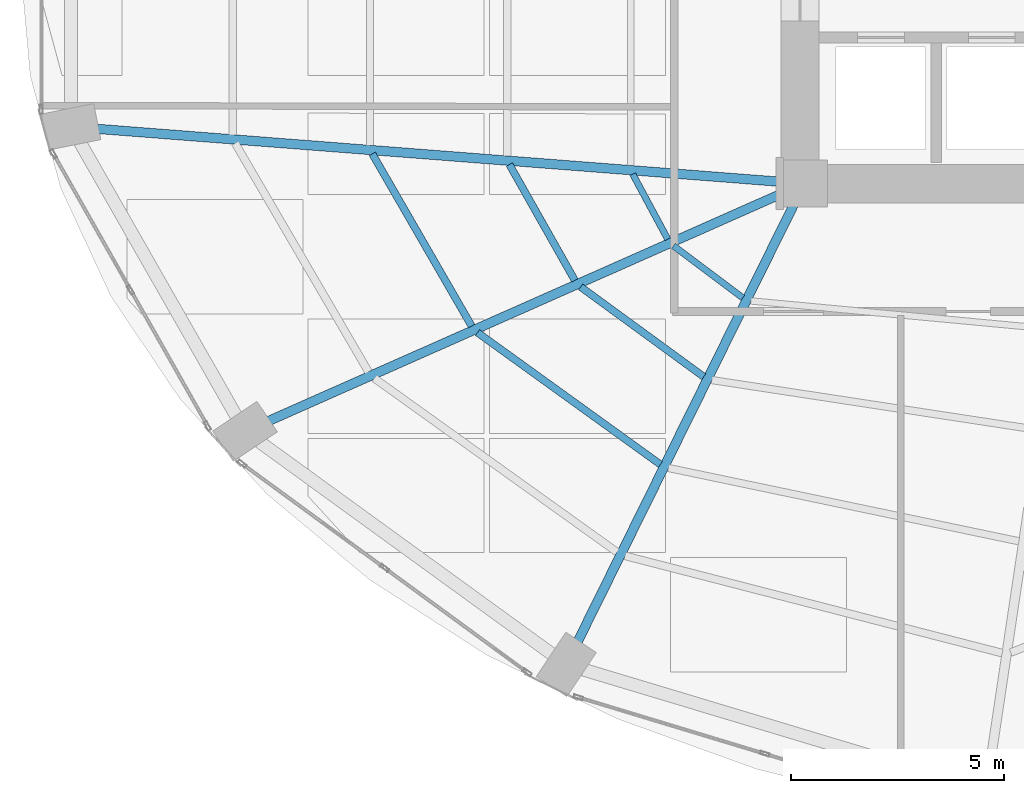
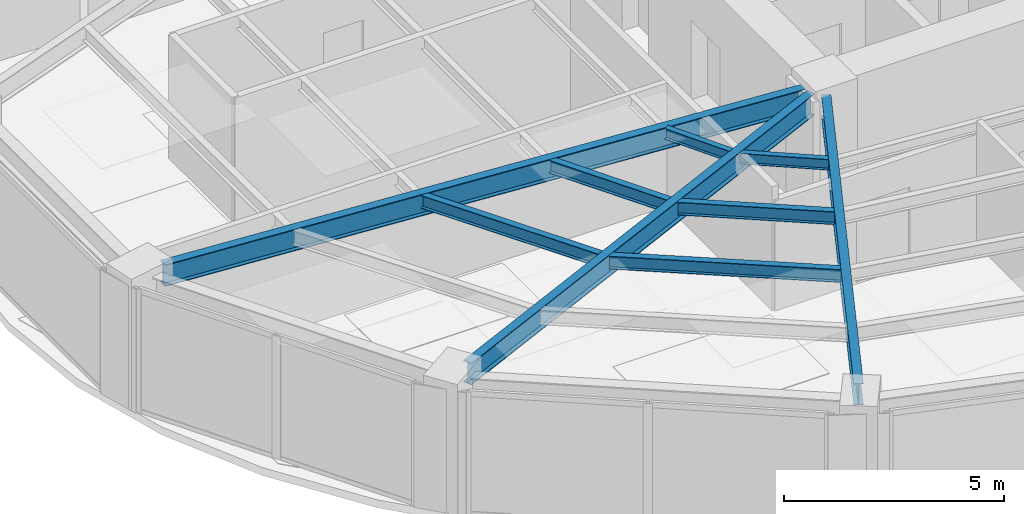
# One storey, part 4 of 24: 9 beams.
"""IFC4 building model written with IfcOpenShell, lengths in metres."""

from ifc_helpers import new_model, si_unit, direction, frame, origin, origin_2d, place, context, subcontext, project, spatial, i_section, extrude, material, material_profile, profile_set, type_object, element, save


model = new_model("IFC4")

# Units and contexts
model_context = context("Model", 3, precision=1e-05, world=origin(), true_north=direction((0.0, 1.0)))
body_context = subcontext(model_context, "Body", "Model", "MODEL_VIEW")
ifc_project = project(units=[si_unit("LENGTHUNIT", "METRE"), si_unit("AREAUNIT", "SQUARE_METRE"), si_unit("VOLUMEUNIT", "CUBIC_METRE"), si_unit("PLANEANGLEUNIT", "RADIAN"), si_unit("MASSUNIT", "GRAM", prefix="KILO")], contexts=[model_context])

# Site, building, storey
site_placement = place(None, origin())
site = spatial("IfcSite", under=ifc_project, at=site_placement, CompositionType="ELEMENT")
building_placement = place(site_placement, origin())
building = spatial("IfcBuilding", under=site, at=building_placement, Name="Lazwardi Medical Tower", CompositionType="ELEMENT")
storey_placement = place(building_placement, frame((0.0, 0.0, 65.327880859375)))
storey = spatial("IfcBuildingStorey", under=building, at=storey_placement, Name="L16", CompositionType="ELEMENT", Elevation=65.327880859375)

# Beams
ifc_material = material(Name="Steel S355", Category="steel")
ifc_material_profile_1 = material_profile(ifc_material, i_section(OverallWidth=0.219970703125, OverallDepth=0.60009765625, WebThickness=0.011962890625, FlangeThickness=0.01904296875, at=origin_2d()), Name="IPE 600")
ifc_profile_set_1 = profile_set([ifc_material_profile_1], Name="Steel S355")
beam_type_1 = type_object("IfcBeamType", Name="BM-RG-W1", PredefinedType="BEAM", material=ifc_profile_set_1)
beam_1_placement = place(storey_placement, frame((9.7783203125, 21.6875, 3.128173828125), z_axis=(0.997013942066, -0.077221754231, 0.0), x_axis=(0.077221754231, 0.997013942066, 0.0)))
element("IfcBeam", 1, at=beam_1_placement, inside=storey, type_object=beam_type_1, Name="Radial girder RG-02 R13 L16", PredefinedType="BEAM", context=body_context, shape_type="SweptSolid", body=[
    extrude(i_section(OverallWidth=0.219970703125, OverallDepth=0.60009765625, WebThickness=0.011962890625, FlangeThickness=0.01904296875, at=origin_2d()), origin(), (0.0, 0.0, 1.0), 16.136474609375),
])
beam_2_placement = place(storey_placement, frame((13.810302734375, 14.82080078125, 3.128173828125), z_axis=(0.914252189566, 0.405145571214, 0.0), x_axis=(-0.405145571214, 0.914252189566, 0.0)))
element("IfcBeam", 2, at=beam_2_placement, inside=storey, type_object=beam_type_1, Name="Radial girder RG-02 R14 L16", PredefinedType="BEAM", context=body_context, shape_type="SweptSolid", body=[
    extrude(i_section(OverallWidth=0.219970703125, OverallDepth=0.60009765625, WebThickness=0.011962890625, FlangeThickness=0.01904296875, at=origin_2d()), origin(), (0.0, 0.0, 1.0), 13.235595703125),
])
beam_3_placement = place(storey_placement, frame((21.076171875, 9.635986328125, 3.128173828125), z_axis=(0.443336723706, 0.896355146922, 0.0), x_axis=(-0.896355146922, 0.443336723706, 0.0)))
element("IfcBeam", 3, at=beam_3_placement, inside=storey, type_object=beam_type_1, Name="Radial girder RG-02 R15 L16", PredefinedType="BEAM", context=body_context, shape_type="SweptSolid", body=[
    extrude(i_section(OverallWidth=0.219970703125, OverallDepth=0.60009765625, WebThickness=0.011962890625, FlangeThickness=0.01904296875, at=origin_2d()), origin(), (0.0, 0.0, 1.0), 11.4736328125),
])
ifc_material_profile_2 = material_profile(ifc_material, i_section(OverallWidth=0.169921875, OverallDepth=0.360107421875, WebThickness=0.008056640625, FlangeThickness=0.0126953125, at=origin_2d()), Name="IPE 360")
ifc_profile_set_2 = profile_set([ifc_material_profile_2], Name="Steel S355")
beam_type_2 = type_object("IfcBeamType", Name="BM-SJ-02", PredefinedType="JOIST", material=ifc_profile_set_2)
beam_4_placement = place(storey_placement, frame((16.26611328125, 21.09814453125, 3.248046875), z_axis=(0.499785866494, -0.866148998529, 0.0), x_axis=(0.866148998529, 0.499785866494, 0.0)))
element("IfcBeam", 4, at=beam_4_placement, inside=storey, type_object=beam_type_2, Name="Secondary joist SJ-02 R2 B13 L16", PredefinedType="JOIST", context=body_context, shape_type="SweptSolid", body=[
    extrude(i_section(OverallWidth=0.169921875, OverallDepth=0.360107421875, WebThickness=0.008056640625, FlangeThickness=0.0126953125, at=origin_2d()), origin(), (0.0, 0.0, 1.0), 4.666015625),
])
beam_5_placement = place(storey_placement, frame((18.73583984375, 16.904296875, 3.248046875), z_axis=(0.811142764961, -0.584848198127, 0.0), x_axis=(0.584848198127, 0.811142764961, 0.0)))
element("IfcBeam", 5, at=beam_5_placement, inside=storey, type_object=beam_type_2, Name="Secondary joist SJ-02 R2 B14 L16", PredefinedType="JOIST", context=body_context, shape_type="SweptSolid", body=[
    extrude(i_section(OverallWidth=0.169921875, OverallDepth=0.360107421875, WebThickness=0.008056640625, FlangeThickness=0.0126953125, at=origin_2d()), origin(), (0.0, 0.0, 1.0), 5.28857421875),
])
beam_6_placement = place(storey_placement, frame((19.48291015625, 20.848388671875, 3.248046875), z_axis=(0.491923287977, -0.870638546554, 0.0), x_axis=(0.870638546554, 0.491923287977, 0.0)))
element("IfcBeam", 6, at=beam_6_placement, inside=storey, type_object=beam_type_2, Name="Secondary joist SJ-02 R3 B13 L16", PredefinedType="JOIST", context=body_context, shape_type="SweptSolid", body=[
    extrude(i_section(OverallWidth=0.169921875, OverallDepth=0.360107421875, WebThickness=0.008056640625, FlangeThickness=0.0126953125, at=origin_2d()), origin(), (0.0, 0.0, 1.0), 3.122802734375),
])
beam_7_placement = place(storey_placement, frame((21.155517578125, 17.976318359375, 3.248046875), z_axis=(0.80770129933, -0.589591902132, 0.0), x_axis=(0.589591902132, 0.80770129933, 0.0)))
element("IfcBeam", 7, at=beam_7_placement, inside=storey, type_object=beam_type_2, Name="Secondary joist SJ-02 R3 B14 L16", PredefinedType="JOIST", context=body_context, shape_type="SweptSolid", body=[
    extrude(i_section(OverallWidth=0.169921875, OverallDepth=0.360107421875, WebThickness=0.008056640625, FlangeThickness=0.0126953125, at=origin_2d()), origin(), (0.0, 0.0, 1.0), 3.5751953125),
])
ifc_material_profile_3 = material_profile(ifc_material, i_section(OverallWidth=0.14990234375, OverallDepth=0.300048828125, WebThickness=0.007080078125, FlangeThickness=0.0107421875, at=origin_2d()), Name="IPE 300")
ifc_profile_set_3 = profile_set([ifc_material_profile_3], Name="Steel S355")
beam_type_3 = type_object("IfcBeamType", Name="BM-SJ-03", PredefinedType="JOIST", material=ifc_profile_set_3)
beam_8_placement = place(storey_placement, frame((22.376953125, 20.623046875, 3.278076171875), z_axis=(0.473982292828, -0.880534375301, 0.0), x_axis=(0.880534375301, 0.473982292828, 0.0)))
element("IfcBeam", 8, at=beam_8_placement, inside=storey, type_object=beam_type_3, Name="Secondary joist SJ-03 R4 B13 L16", PredefinedType="JOIST", context=body_context, shape_type="SweptSolid", body=[
    extrude(i_section(OverallWidth=0.14990234375, OverallDepth=0.300048828125, WebThickness=0.007080078125, FlangeThickness=0.0107421875, at=origin_2d()), origin(), (0.0, 0.0, 1.0), 1.734375),
])
beam_9_placement = place(storey_placement, frame((23.332763671875, 18.9404296875, 3.278076171875), z_axis=(0.800115247939, -0.599846305328, 0.0), x_axis=(0.599846305328, 0.800115247939, 0.0)))
element("IfcBeam", 9, at=beam_9_placement, inside=storey, type_object=beam_type_3, Name="Secondary joist SJ-03 R4 B14 L16", PredefinedType="JOIST", context=body_context, shape_type="SweptSolid", body=[
    extrude(i_section(OverallWidth=0.14990234375, OverallDepth=0.300048828125, WebThickness=0.007080078125, FlangeThickness=0.0107421875, at=origin_2d()), origin(), (0.0, 0.0, 1.0), 2.033447265625),
])

save(model, "model.ifc")
